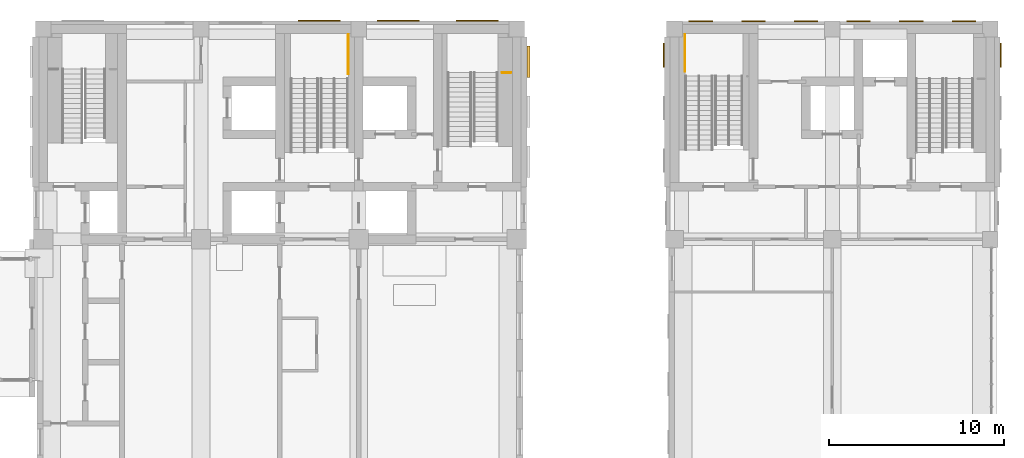
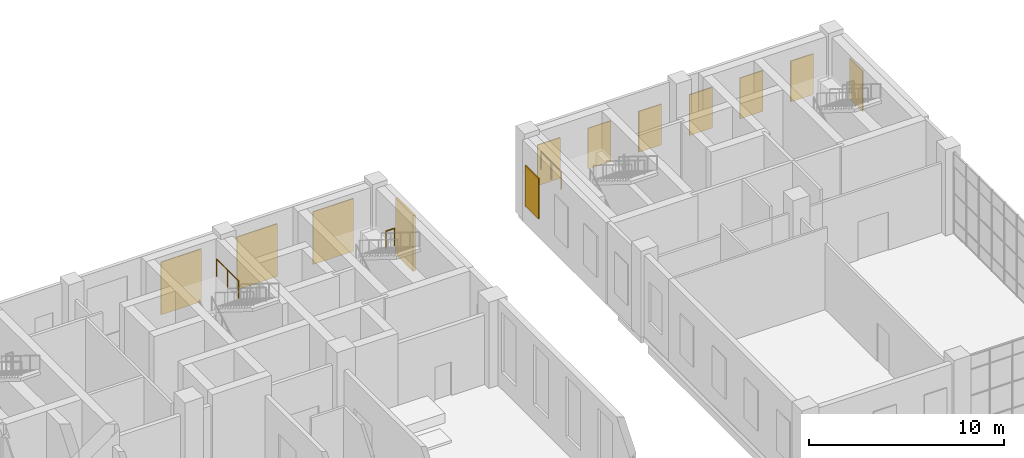
# One storey, part 52 of 52: 12 coverings, 3 railings.
"""IFC4 building model written with IfcOpenShell, lengths in metres."""

from ifc_helpers import new_model, si_unit, direction, frame, origin, origin_2d, place, context, subcontext, project, spatial, rectangle, circle, extrude, material, layer, layer_set, type_object, element, save


model = new_model("IFC4")

# Units and contexts
model_context = context("Model", 3, precision=1e-05, world=origin(), true_north=direction((0.0, 1.0)))
body_context = subcontext(model_context, "Body", "Model", "MODEL_VIEW")
ifc_project = project(units=[si_unit("LENGTHUNIT", "METRE"), si_unit("AREAUNIT", "SQUARE_METRE"), si_unit("VOLUMEUNIT", "CUBIC_METRE"), si_unit("PLANEANGLEUNIT", "RADIAN"), si_unit("MASSUNIT", "GRAM", prefix="KILO")], contexts=[model_context])

# Site, building, storey
site_placement = place(None, origin())
site = spatial("IfcSite", under=ifc_project, at=site_placement, CompositionType="ELEMENT")
building_placement = place(site_placement, origin())
building = spatial("IfcBuilding", under=site, at=building_placement, Name="Aurelan Courthouse", CompositionType="ELEMENT")
storey_placement = place(building_placement, frame((0.0, 0.0, 6.60009765625)))
storey = spatial("IfcBuildingStorey", under=building, at=storey_placement, Name="L01", CompositionType="ELEMENT", Elevation=6.60009765625)

# Coverings
ifc_material_1 = material(Name="Bronze sheet cladding")
ifc_layer_1 = layer(ifc_material_1, 0.06005859375)
ifc_layer_set_1 = layer_set([ifc_layer_1], Name="Bronze sheet cladding")
covering_type_1 = type_object("IfcCoveringType", Name="Courtroom Block blind bay 2400 x 3300", PredefinedType="CLADDING", material=ifc_layer_set_1)
for number, where, z_axis, x_axis, name in (
    (1, (51.75, 66.47998046875, 0.89990234375), (0.0, 0.0, 1.0), (1.0, 0.0, 0.0), "Blind bay BB-V2-L01-002"),
    (2, (56.25, 66.47998046875, 0.89990234375), (0.0, 0.0, 1.0), (1.0, 0.0, 0.0), "Blind bay BB-V2-L01-003"),
    (3, (60.75, 66.47998046875, 0.89990234375), (0.0, 0.0, 1.0), (1.0, 0.0, 0.0), "Blind bay BB-V2-L01-004"),
):
    element("IfcCovering", number, at=place(storey_placement, frame(where, z_axis=z_axis, x_axis=x_axis)), inside=storey, type_object=covering_type_1, Name=name, PredefinedType="CLADDING", context=body_context, shape_type="SweptSolid", body=[
        extrude(rectangle(XDim=2.39990234375, YDim=0.06005859375, at=origin_2d()), origin(), (0.0, 0.0, 1.0), 3.300048828125),
    ])
ifc_layer_2 = layer(ifc_material_1, 0.06005859375)
ifc_layer_set_2 = layer_set([ifc_layer_2], Name="Bronze sheet cladding")
covering_type_2 = type_object("IfcCoveringType", Name="Law Library blind bay 1350 x 2550", PredefinedType="CLADDING", material=ifc_layer_set_2)
for number, where, z_axis, x_axis, name in (
    (4, (73.5, 66.449951171875, 1.19970703125), (0.0, 0.0, 1.0), (1.0, 0.0, 0.0), "Blind bay BB-V3-L01-004"),
    (5, (76.5, 66.449951171875, 1.19970703125), (0.0, 0.0, 1.0), (1.0, 0.0, 0.0), "Blind bay BB-V3-L01-005"),
    (6, (79.5, 66.449951171875, 1.19970703125), (0.0, 0.0, 1.0), (1.0, 0.0, 0.0), "Blind bay BB-V3-L01-006"),
    (7, (82.5, 66.449951171875, 1.19970703125), (0.0, 0.0, 1.0), (1.0, 0.0, 0.0), "Blind bay BB-V3-L01-007"),
    (8, (85.5, 66.449951171875, 1.19970703125), (0.0, 0.0, 1.0), (1.0, 0.0, 0.0), "Blind bay BB-V3-L01-008"),
    (9, (88.5, 66.449951171875, 1.19970703125), (0.0, 0.0, 1.0), (1.0, 0.0, 0.0), "Blind bay BB-V3-L01-009"),
):
    element("IfcCovering", number, at=place(storey_placement, frame(where, z_axis=z_axis, x_axis=x_axis)), inside=storey, type_object=covering_type_2, Name=name, PredefinedType="CLADDING", context=body_context, shape_type="SweptSolid", body=[
        extrude(rectangle(XDim=1.35009765625, YDim=0.06005859375, at=origin_2d()), origin(), (0.0, 0.0, 1.0), 2.550048828125),
    ])
for number, where, z_axis, x_axis, name in (
    (10, (90.60009765625, 64.5, 1.19970703125), (0.0, 0.0, 1.0), (1.0, 0.0, 0.0), "Blind bay BB-V3-L01-013"),
    (11, (71.39990234375, 64.5, 1.19970703125), (0.0, 0.0, 1.0), (1.0, 0.0, 0.0), "Blind bay BB-V3-L01-021"),
):
    element("IfcCovering", number, at=place(storey_placement, frame(where, z_axis=z_axis, x_axis=x_axis)), inside=storey, type_object=covering_type_2, Name=name, PredefinedType="CLADDING", context=body_context, shape_type="SweptSolid", body=[
        extrude(rectangle(XDim=0.06005859375, YDim=1.35009765625, at=origin_2d()), origin(), (0.0, 0.0, 1.0), 2.550048828125),
    ])
ifc_layer_3 = layer(ifc_material_1, 0.14990234375)
ifc_layer_set_3 = layer_set([ifc_layer_3], Name="Bronze sheet cladding")
covering_type_3 = type_object("IfcCoveringType", Name="Relief panel 1800 x 3500 x 150", PredefinedType="CLADDING", material=ifc_layer_set_3)
covering_placement = place(storey_placement, frame((63.675048828125, 64.125, 1.0), z_axis=(0.0, 0.0, 1.0), x_axis=(1.0, 0.0, 0.0)))
element("IfcCovering", 12, at=covering_placement, inside=storey, type_object=covering_type_3, Name="Relief panel RP-V2-011", PredefinedType="CLADDING", context=body_context, shape_type="SweptSolid", body=[
    extrude(rectangle(XDim=0.14990234375, YDim=1.800048828125, at=origin_2d()), origin(), (0.0, 0.0, 1.0), 3.5),
])

# Railings
ifc_material_2 = material(Name="Steel S355", Category="steel")
railing_type = type_object("IfcRailingType", Name="Stair guard 1100", PredefinedType="GUARDRAIL", material=ifc_material_2)
railing_1_placement = place(storey_placement, frame((53.39990234375, 65.669921875, 2.787109375)))
element("IfcRailing", 13, at=railing_1_placement, inside=storey, type_object=railing_type, Name="Guard ST-2A-L01-GL1", PredefinedType="GUARDRAIL", context=body_context, shape_type="SweptSolid", body=[
    extrude(circle(Radius=0.02392578125, at=origin_2d()), frame((0.0, 0.0, 1.076171875), z_axis=(0.0, -1.0, 0.0), x_axis=(1.0, 0.0, 0.0)), (0.0, 0.0, 1.0), 2.234619140625),
    extrude(circle(Radius=0.02099609375, at=origin_2d()), origin(), (0.0, 0.0, 1.0), 1.052001953125),
    extrude(circle(Radius=0.02099609375, at=origin_2d()), frame((0.0, -1.1171875, 0.0)), (0.0, 0.0, 1.0), 1.052001953125),
    extrude(circle(Radius=0.02099609375, at=origin_2d()), frame((0.0, -2.234619140625, 0.0)), (0.0, 0.0, 1.0), 1.052001953125),
])
railing_2_placement = place(storey_placement, frame((62.669921875, 63.510009765625, 2.787109375)))
element("IfcRailing", 14, at=railing_2_placement, inside=storey, type_object=railing_type, Name="Guard ST-2E-L01-GL1", PredefinedType="GUARDRAIL", context=body_context, shape_type="SweptSolid", body=[
    extrude(circle(Radius=0.02392578125, at=origin_2d()), frame((0.0, 0.0, 1.076171875), z_axis=(-1.0, 0.0, 0.0), x_axis=(0.0, -1.0, 0.0)), (0.0, 0.0, 1.0), 0.5),
    extrude(circle(Radius=0.02099609375, at=origin_2d()), origin(), (0.0, 0.0, 1.0), 1.052001953125),
    extrude(circle(Radius=0.02099609375, at=origin_2d()), frame((-0.5, 0.0, 0.0)), (0.0, 0.0, 1.0), 1.052001953125),
])
railing_3_placement = place(storey_placement, frame((72.60009765625, 63.585205078125, 2.787109375)))
element("IfcRailing", 15, at=railing_3_placement, inside=storey, type_object=railing_type, Name="Guard ST-3A-L01-GL1", PredefinedType="GUARDRAIL", context=body_context, shape_type="SweptSolid", body=[
    extrude(circle(Radius=0.02392578125, at=origin_2d()), frame((0.0, 0.0, 1.076171875), z_axis=(0.0, 1.0, 0.0), x_axis=(-1.0, 0.0, 0.0)), (0.0, 0.0, 1.0), 2.084716796875),
    extrude(circle(Radius=0.02099609375, at=origin_2d()), origin(), (0.0, 0.0, 1.0), 1.052001953125),
    extrude(circle(Radius=0.02099609375, at=origin_2d()), frame((0.0, 1.04248046875, 0.0)), (0.0, 0.0, 1.0), 1.052001953125),
    extrude(circle(Radius=0.02099609375, at=origin_2d()), frame((0.0, 2.084716796875, 0.0)), (0.0, 0.0, 1.0), 1.052001953125),
])

save(model, "model.ifc")
